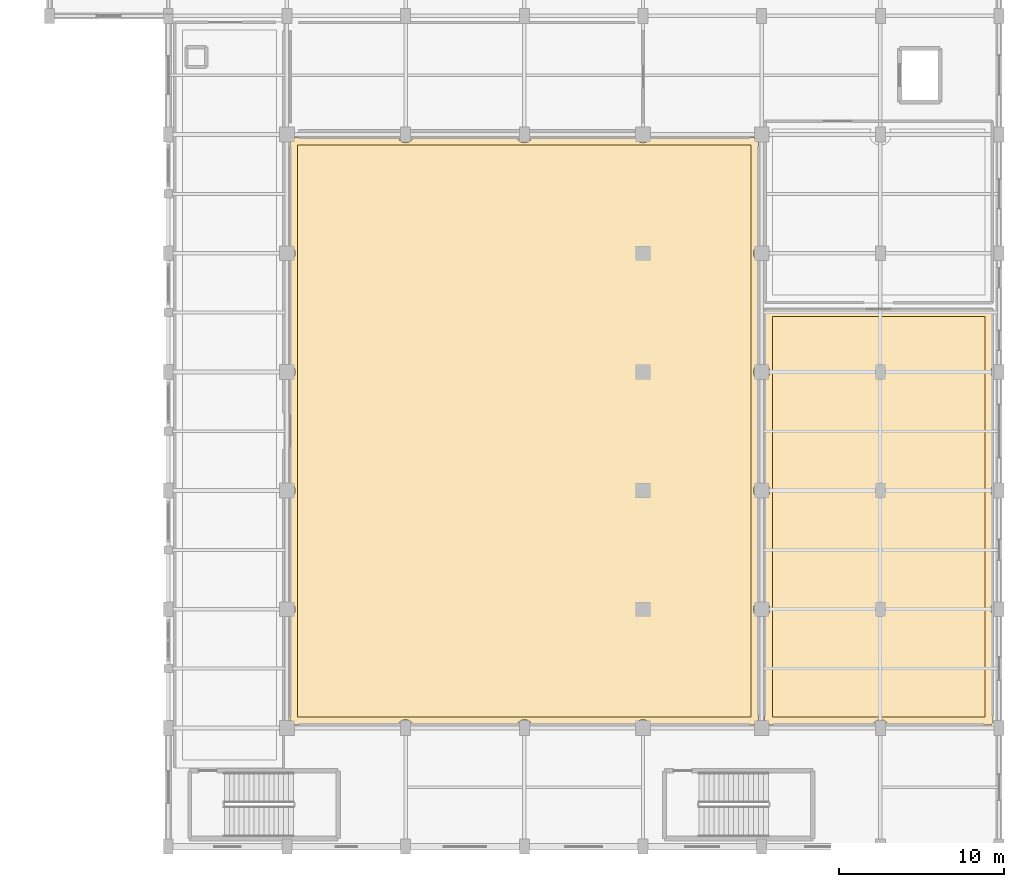
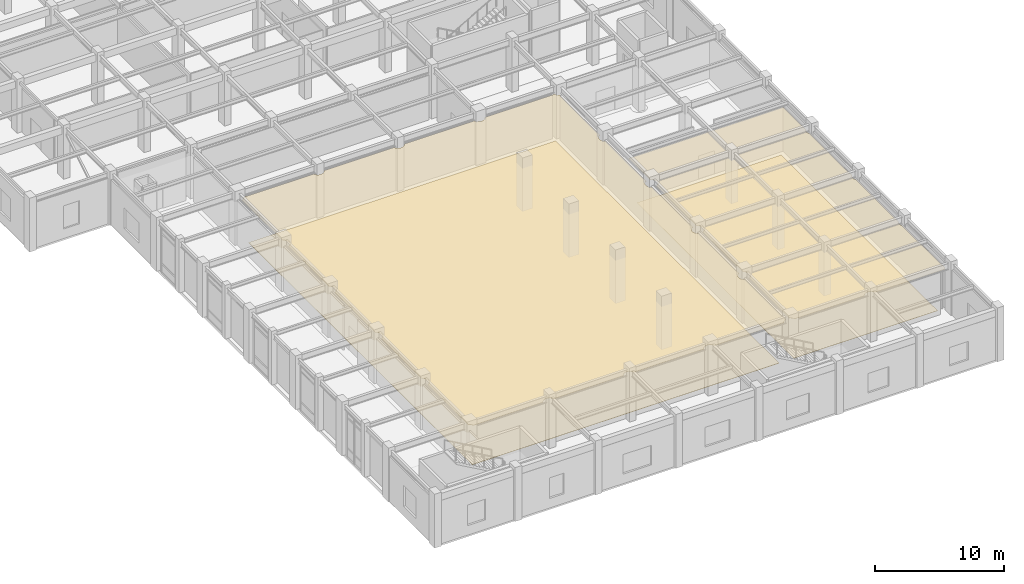
# One storey, part 115 of 117: 4 coverings.
"""IFC4 building model written with IfcOpenShell, lengths in metres."""

import ifcopenshell
import ifcopenshell.guid

model = None  # the IFC model being written
_history = None  # IfcOwnerHistory: only IFC2X3 demands one
_inside = {}  # id of a spatial element -> (the spatial element, [elements in it])
_under = {}  # id of a project, library or spatial element -> (it, [spatial elements below it])
_declared = {}  # id of a project -> (the project, [libraries it declares])
_typed = {}  # id of a type object -> (the type object, [elements of that type])
_made_of = {}  # id of a material, layer set ... -> (it, [elements and type objects made of it])


def new_model(schema):
    """Start an empty IFC model of exactly this schema.

    Asked for "IFC4X3", IfcOpenShell would pick the latest addendum, in which some entities
    have other attributes; the version numbers below select the first issue.
    IFC2X3 requires an IfcOwnerHistory on every rooted entity: one is made here for all.
    """
    global model, _history
    if schema == "IFC4X3":
        model = ifcopenshell.file(schema_version=(4, 3, 0, 0))
    else:
        model = ifcopenshell.file(schema=schema)
    _inside.clear()
    _under.clear()
    _declared.clear()
    _typed.clear()
    _made_of.clear()
    _history = None
    if model.schema == "IFC2X3":
        org = make("IfcOrganization", Name="unknown")
        user = make(
            "IfcPersonAndOrganization",
            ThePerson=make("IfcPerson", FamilyName="unknown"),
            TheOrganization=org,
        )
        app = make(
            "IfcApplication",
            ApplicationDeveloper=org,
            Version="unknown",
            ApplicationFullName="unknown",
            ApplicationIdentifier="unknown",
        )
        _history = make(
            "IfcOwnerHistory",
            OwningUser=user,
            OwningApplication=app,
            ChangeAction="ADDED",
            CreationDate=0,
        )
    return model


def make(cls, **values):
    """One entity of the class cls with the attributes given. An attribute that is None is left unset."""
    return model.create_entity(
        cls, **{name: value for name, value in values.items() if value is not None}
    )


def rooted(cls, **values):
    """An entity with a GlobalId (a new one), such as an element, a storey or a relation."""
    return make(cls, GlobalId=ifcopenshell.guid.new(), OwnerHistory=_history, **values)


def si_unit(unit_type, name, prefix=None):
    """IfcSIUnit, for example si_unit("LENGTHUNIT", "METRE", prefix="MILLI")."""
    return make("IfcSIUnit", UnitType=unit_type, Prefix=prefix, Name=name)


def assignment(units):
    """IfcUnitAssignment: the units of a project."""
    return None if units is None else make("IfcUnitAssignment", Units=units)


def point(xyz):
    """IfcCartesianPoint."""
    return None if xyz is None else make("IfcCartesianPoint", Coordinates=xyz)


def direction(xyz):
    """IfcDirection."""
    return None if xyz is None else make("IfcDirection", DirectionRatios=xyz)


def frame(location, z_axis=None, x_axis=None):
    """IfcAxis2Placement3D, a coordinate frame: its origin and axes. An axis left out is left unset."""
    return make(
        "IfcAxis2Placement3D",
        Location=point(location),
        Axis=direction(z_axis),
        RefDirection=direction(x_axis),
    )


def origin():
    """The frame at (0, 0, 0) with its axes left unset."""
    return frame((0.0, 0.0, 0.0))


def place(relative_to, where):
    """IfcLocalPlacement: puts the frame where relative to a parent placement (None: the world)."""
    return make(
        "IfcLocalPlacement", PlacementRelTo=relative_to, RelativePlacement=where
    )


def context(
    kind, dimensions, precision=None, world=None, true_north=None, identifier=None
):
    """IfcGeometricRepresentationContext, for example the 3D "Model" context."""
    return make(
        "IfcGeometricRepresentationContext",
        ContextIdentifier=identifier,
        ContextType=kind,
        CoordinateSpaceDimension=dimensions,
        Precision=precision,
        WorldCoordinateSystem=world,
        TrueNorth=true_north,
    )


def subcontext(parent, identifier, kind, view, scale=None):
    """IfcGeometricRepresentationSubContext, for example "Body" below "Model"."""
    return make(
        "IfcGeometricRepresentationSubContext",
        ContextIdentifier=identifier,
        ContextType=kind,
        ParentContext=parent,
        TargetScale=scale,
        TargetView=view,
    )


def project(units=None, contexts=None):
    """IfcProject with its units and contexts."""
    return rooted(
        "IfcProject",
        Name="project",
        RepresentationContexts=contexts,
        UnitsInContext=assignment(units),
    )


def spatial(cls, under=None, at=None, **own):
    """A site, building, storey or space (cls), placed at a placement, below another one or the project."""
    s = rooted(cls, ObjectPlacement=at, **own)
    if under is not None:
        _under.setdefault(under.id(), (under, []))[1].append(s)
    return s


def polyline(points):
    """IfcPolyline through the points."""
    return make("IfcPolyline", Points=[point(p) for p in points])


def outline(outer, holes=None, kind="AREA"):
    """IfcArbitraryClosedProfileDef: a profile drawn as a closed curve; with holes, ...WithVoids."""
    if holes is None:
        return make("IfcArbitraryClosedProfileDef", ProfileType=kind, OuterCurve=outer)
    return make(
        "IfcArbitraryProfileDefWithVoids",
        ProfileType=kind,
        OuterCurve=outer,
        InnerCurves=holes,
    )


def extrude(swept, where, along, depth):
    """IfcExtrudedAreaSolid: the profile swept, set in the frame where, extruded along a direction by depth."""
    return make(
        "IfcExtrudedAreaSolid",
        SweptArea=swept,
        Position=where,
        ExtrudedDirection=direction(along),
        Depth=depth,
    )


def shape(context_of_items, identifier, shape_type, items):
    """IfcShapeRepresentation: the items that make up one representation, for example the "Body"."""
    return make(
        "IfcShapeRepresentation",
        ContextOfItems=context_of_items,
        RepresentationIdentifier=identifier,
        RepresentationType=shape_type,
        Items=items,
    )


def material(Name=None, Category=None):
    """IfcMaterial."""
    return make("IfcMaterial", Name=Name, Category=Category)


def layer(
    of_material, thickness, ventilated=None, Name=None, Category=None, Priority=None
):
    """IfcMaterialLayer: one layer of a wall or slab, of a material (None: an air gap)."""
    return make(
        "IfcMaterialLayer",
        Material=of_material,
        LayerThickness=thickness,
        IsVentilated=ventilated,
        Name=Name,
        Category=Category,
        Priority=Priority,
    )


def layer_set(layers, Name=None):
    """IfcMaterialLayerSet."""
    return make("IfcMaterialLayerSet", MaterialLayers=layers, LayerSetName=Name)


def made_of(thing, what):
    """Note that an element or type object is made of a material, layer set ...; save() writes the relation."""
    if what is not None:
        _made_of.setdefault(what.id(), (what, []))[1].append(thing)
    return thing


def type_object(cls, material=None, **own):
    """A type object (cls), such as IfcWallType, which elements share."""
    return made_of(rooted(cls, **own), material)


def element(
    cls,
    number,
    at=None,
    inside=None,
    cuts=None,
    type_object=None,
    material=None,
    context=None,
    identifier="Body",
    shape_type=None,
    held_by="IfcProductDefinitionShape",
    body=None,
    shapes=None,
    **own,
):
    """One element of the class cls, such as IfcWall. Its Tag is "e" and its number.

    at: its placement. inside: the storey or other place that contains it. cuts: it is an
    opening in that element (IfcRelVoidsElement). A single representation is given by context,
    identifier, shape_type and body (its items); several are given by shapes. held_by: the class
    of the entity that holds the representations. save() writes the other relations.
    """
    e = rooted(cls, Tag="e%d" % number, ObjectPlacement=at, **own)
    if body is not None:
        shapes = [shape(context, identifier, shape_type, body)]
    if shapes is not None:
        e.Representation = make(held_by, Representations=shapes)
    if inside is not None:
        _inside.setdefault(inside.id(), (inside, []))[1].append(e)
    if cuts is not None:
        rooted(
            "IfcRelVoidsElement", RelatingBuildingElement=cuts, RelatedOpeningElement=e
        )
    if type_object is not None:
        _typed.setdefault(type_object.id(), (type_object, []))[1].append(e)
    return made_of(e, material)


def aggregate(whole, parts):
    """IfcRelAggregates: a whole, such as a stair, and the parts it consists of."""
    return rooted("IfcRelAggregates", RelatingObject=whole, RelatedObjects=parts)


def save(model, path):
    """Write the relations noted so far, then the file.

    IfcRelAggregates (storeys below a building ...), IfcRelContainedInSpatialStructure (elements
    in a storey), IfcRelDefinesByType, IfcRelAssociatesMaterial and IfcRelDeclares: one each for
    every whole, place, type object, material and project.
    """
    for whole, parts in _under.values():
        aggregate(whole, parts)
    for where, things in _inside.values():
        rooted(
            "IfcRelContainedInSpatialStructure",
            RelatedElements=things,
            RelatingStructure=where,
        )
    for kind, things in _typed.values():
        rooted("IfcRelDefinesByType", RelatedObjects=things, RelatingType=kind)
    for what, things in _made_of.values():
        rooted("IfcRelAssociatesMaterial", RelatedObjects=things, RelatingMaterial=what)
    for by, libraries in _declared.values():
        rooted("IfcRelDeclares", RelatingContext=by, RelatedDefinitions=libraries)
    model.write(path)


model = new_model("IFC4")

# Units and contexts
model_context = context("Model", 3, precision=1e-05, world=origin(), true_north=direction((0.0, 1.0)))
body_context = subcontext(model_context, "Body", "Model", "MODEL_VIEW")
ifc_project = project(units=[si_unit("LENGTHUNIT", "METRE"), si_unit("AREAUNIT", "SQUARE_METRE"), si_unit("VOLUMEUNIT", "CUBIC_METRE"), si_unit("PLANEANGLEUNIT", "RADIAN"), si_unit("MASSUNIT", "GRAM", prefix="KILO")], contexts=[model_context])

# Site, building, storey
site_placement = place(None, origin())
site = spatial("IfcSite", under=ifc_project, at=site_placement, CompositionType="ELEMENT")
building_placement = place(site_placement, origin())
building = spatial("IfcBuilding", under=site, at=building_placement, Name="Carrowvane Square Congress Hotel", CompositionType="ELEMENT")
storey_placement = place(building_placement, frame((0.0, 0.0, 5.39990234375)))
storey = spatial("IfcBuildingStorey", under=building, at=storey_placement, Name="L01", CompositionType="ELEMENT", Elevation=5.39990234375)

# Coverings
ifc_material_1 = material(Name="Acoustic gypsum board", Category="gypsum")
ifc_layer_1 = layer(ifc_material_1, 0.014892578125)
ifc_layer_set_1 = layer_set([ifc_layer_1], Name="Acoustic gypsum board")
covering_type_1 = type_object("IfcCoveringType", Name="COV-CLG-AC15", PredefinedType="CEILING", material=ifc_layer_set_1)
covering_1_placement = place(storey_placement, frame((0.0, 0.0, 4.087890625)))
element("IfcCovering", 1, at=covering_1_placement, inside=storey, type_object=covering_type_1, Name="L01 Banqueting Finishing Kitchen Pantry acoustic ceiling", PredefinedType="CEILING", context=body_context, shape_type="SweptSolid", body=[
    extrude(outline(polyline([(176.846435546875, 12.95361328125), (176.8134765625, 12.917236328125), (176.7841796875, 12.877685546875), (176.759033203125, 12.835693359375), (176.738037109375, 12.791259765625), (176.73388671875, 12.780029296875), (170.466064453125, 12.780029296875), (170.4619140625, 12.791259765625), (170.44091796875, 12.835693359375), (170.415771484375, 12.877685546875), (170.386474609375, 12.917236328125), (170.353515625, 12.95361328125), (170.317138671875, 12.986572265625), (170.27783203125, 13.015625), (170.235595703125, 13.041015625), (170.19140625, 13.06201171875), (170.179931640625, 13.06591796875), (170.179931640625, 19.333984375), (170.19140625, 19.338134765625), (170.235595703125, 19.35888671875), (170.27783203125, 19.38427734375), (170.317138671875, 19.41357421875), (170.353515625, 19.4462890625), (170.386474609375, 19.48291015625), (170.415771484375, 19.522216796875), (170.44091796875, 19.564208984375), (170.4619140625, 19.608642578125), (170.478515625, 19.65478515625), (170.490478515625, 19.702392578125), (170.49755859375, 19.7509765625), (170.5, 19.800048828125), (170.49755859375, 19.84912109375), (170.490478515625, 19.8974609375), (170.478515625, 19.945068359375), (170.4619140625, 19.9912109375), (170.44091796875, 20.03564453125), (170.415771484375, 20.077880859375), (170.386474609375, 20.1171875), (170.353515625, 20.153564453125), (170.317138671875, 20.1865234375), (170.27783203125, 20.2158203125), (170.235595703125, 20.240966796875), (170.19140625, 20.261962890625), (170.179931640625, 20.26611328125), (170.179931640625, 26.533935546875), (170.19140625, 26.5380859375), (170.235595703125, 26.55908203125), (170.27783203125, 26.584228515625), (170.317138671875, 26.613525390625), (170.353515625, 26.646484375), (170.386474609375, 26.682861328125), (170.415771484375, 26.72216796875), (170.44091796875, 26.764404296875), (170.4619140625, 26.80859375), (170.478515625, 26.85498046875), (170.490478515625, 26.902587890625), (170.49755859375, 26.950927734375), (170.5, 27.0), (170.49755859375, 27.049072265625), (170.490478515625, 27.097412109375), (170.478515625, 27.14501953125), (170.4619140625, 27.19140625), (170.44091796875, 27.235595703125), (170.415771484375, 27.27783203125), (170.386474609375, 27.317138671875), (170.353515625, 27.353515625), (170.317138671875, 27.386474609375), (170.27783203125, 27.415771484375), (170.235595703125, 27.44091796875), (170.19140625, 27.4619140625), (170.179931640625, 27.466064453125), (170.179931640625, 33.73388671875), (170.19140625, 33.738037109375), (170.235595703125, 33.759033203125), (170.27783203125, 33.7841796875), (170.317138671875, 33.8134765625), (170.353515625, 33.846435546875), (170.386474609375, 33.8828125), (170.415771484375, 33.922119140625), (170.44091796875, 33.96435546875), (170.4619140625, 34.0087890625), (170.478515625, 34.054931640625), (170.490478515625, 34.1025390625), (170.49755859375, 34.15087890625), (170.5, 34.199951171875), (170.49755859375, 34.2490234375), (170.490478515625, 34.297607421875), (170.478515625, 34.34521484375), (170.4619140625, 34.391357421875), (170.44091796875, 34.435791015625), (170.415771484375, 34.477783203125), (170.386474609375, 34.51708984375), (170.353515625, 34.5537109375), (170.317138671875, 34.58642578125), (170.27783203125, 34.61572265625), (170.235595703125, 34.64111328125), (170.19140625, 34.661865234375), (170.179931640625, 34.666015625), (170.179931640625, 38.0), (170.18017578125, 38.001953125), (170.180419921875, 38.00390625), (170.180908203125, 38.005859375), (170.181396484375, 38.0078125), (170.182373046875, 38.009521484375), (170.183349609375, 38.010986328125), (170.1845703125, 38.0126953125), (170.185791015625, 38.01416015625), (170.187255859375, 38.015380859375), (170.18896484375, 38.0166015625), (170.190673828125, 38.017578125), (170.1923828125, 38.0185546875), (170.194091796875, 38.01904296875), (170.196044921875, 38.01953125), (170.197998046875, 38.02001953125), (170.199951171875, 38.02001953125), (184.0, 38.02001953125), (184.001953125, 38.02001953125), (184.00390625, 38.01953125), (184.005859375, 38.01904296875), (184.0078125, 38.0185546875), (184.009521484375, 38.017578125), (184.010986328125, 38.0166015625), (184.0126953125, 38.015380859375), (184.01416015625, 38.01416015625), (184.015380859375, 38.0126953125), (184.0166015625, 38.010986328125), (184.017578125, 38.009521484375), (184.0185546875, 38.0078125), (184.01904296875, 38.005859375), (184.01953125, 38.00390625), (184.02001953125, 38.001953125), (184.02001953125, 38.0), (184.02001953125, 34.5244140625), (184.013427734375, 34.51708984375), (183.984375, 34.477783203125), (183.958984375, 34.435791015625), (183.93798828125, 34.391357421875), (183.92138671875, 34.34521484375), (183.90966796875, 34.297607421875), (183.90234375, 34.2490234375), (183.89990234375, 34.199951171875), (183.90234375, 34.15087890625), (183.90966796875, 34.1025390625), (183.92138671875, 34.054931640625), (183.93798828125, 34.0087890625), (183.958984375, 33.96435546875), (183.984375, 33.922119140625), (184.013427734375, 33.8828125), (184.02001953125, 33.87548828125), (184.02001953125, 27.324462890625), (184.013427734375, 27.317138671875), (183.984375, 27.27783203125), (183.958984375, 27.235595703125), (183.93798828125, 27.19140625), (183.92138671875, 27.14501953125), (183.90966796875, 27.097412109375), (183.90234375, 27.049072265625), (183.89990234375, 27.0), (183.90234375, 26.950927734375), (183.90966796875, 26.902587890625), (183.92138671875, 26.85498046875), (183.93798828125, 26.80859375), (183.958984375, 26.764404296875), (183.984375, 26.72216796875), (184.013427734375, 26.682861328125), (184.02001953125, 26.675537109375), (184.02001953125, 20.12451171875), (184.013427734375, 20.1171875), (183.984375, 20.077880859375), (183.958984375, 20.03564453125), (183.93798828125, 19.9912109375), (183.92138671875, 19.945068359375), (183.90966796875, 19.8974609375), (183.90234375, 19.84912109375), (183.89990234375, 19.800048828125), (183.90234375, 19.7509765625), (183.90966796875, 19.702392578125), (183.92138671875, 19.65478515625), (183.93798828125, 19.608642578125), (183.958984375, 19.564208984375), (183.984375, 19.522216796875), (184.013427734375, 19.48291015625), (184.02001953125, 19.4755859375), (184.02001953125, 12.92431640625), (184.013427734375, 12.917236328125), (183.984375, 12.877685546875), (183.958984375, 12.835693359375), (183.93798828125, 12.791259765625), (183.93408203125, 12.780029296875), (177.666015625, 12.780029296875), (177.661865234375, 12.791259765625), (177.64111328125, 12.835693359375), (177.61572265625, 12.877685546875), (177.58642578125, 12.917236328125), (177.5537109375, 12.95361328125), (177.51708984375, 12.986572265625), (177.477783203125, 13.015625), (177.435791015625, 13.041015625), (177.391357421875, 13.06201171875), (177.34521484375, 13.07861328125), (177.297607421875, 13.09033203125), (177.2490234375, 13.09765625), (177.199951171875, 13.10009765625), (177.15087890625, 13.09765625), (177.1025390625, 13.09033203125), (177.054931640625, 13.07861328125), (177.0087890625, 13.06201171875), (176.96435546875, 13.041015625), (176.922119140625, 13.015625), (176.8828125, 12.986572265625), (176.846435546875, 12.95361328125)])), origin(), (0.0, 0.0, 1.0), 0.014892578125),
])
ifc_material_2 = material(Name="European oak timber", Category="wood")
ifc_layer_2 = layer(ifc_material_2, 0.02490234375)
ifc_layer_set_2 = layer_set([ifc_layer_2], Name="European oak timber")
covering_type_2 = type_object("IfcCoveringType", Name="COV-CLG-WD25", PredefinedType="CEILING", material=ifc_layer_set_2)
covering_2_placement = place(storey_placement, frame((0.0, 0.0, 4.077880859375)))
element("IfcCovering", 2, at=covering_2_placement, inside=storey, type_object=covering_type_2, Name="L01 Carrowvane Grand Ballroom acoustic ceiling", PredefinedType="CEILING", context=body_context, shape_type="SweptSolid", body=[
    extrude(outline(polyline([(141.5537109375, 27.353515625), (141.51708984375, 27.386474609375), (141.477783203125, 27.415771484375), (141.435791015625, 27.44091796875), (141.391357421875, 27.4619140625), (141.3798828125, 27.466064453125), (141.3798828125, 33.73388671875), (141.391357421875, 33.738037109375), (141.435791015625, 33.759033203125), (141.477783203125, 33.7841796875), (141.51708984375, 33.8134765625), (141.5537109375, 33.846435546875), (141.58642578125, 33.8828125), (141.61572265625, 33.922119140625), (141.64111328125, 33.96435546875), (141.661865234375, 34.0087890625), (141.678466796875, 34.054931640625), (141.6904296875, 34.1025390625), (141.697509765625, 34.15087890625), (141.699951171875, 34.199951171875), (141.697509765625, 34.2490234375), (141.6904296875, 34.297607421875), (141.678466796875, 34.34521484375), (141.661865234375, 34.391357421875), (141.64111328125, 34.435791015625), (141.61572265625, 34.477783203125), (141.58642578125, 34.51708984375), (141.5537109375, 34.5537109375), (141.51708984375, 34.58642578125), (141.477783203125, 34.61572265625), (141.435791015625, 34.64111328125), (141.391357421875, 34.661865234375), (141.3798828125, 34.666015625), (141.3798828125, 40.93408203125), (141.391357421875, 40.93798828125), (141.435791015625, 40.958984375), (141.477783203125, 40.984375), (141.51708984375, 41.013427734375), (141.5537109375, 41.04638671875), (141.58642578125, 41.082763671875), (141.61572265625, 41.122314453125), (141.64111328125, 41.164306640625), (141.661865234375, 41.208740234375), (141.678466796875, 41.2548828125), (141.6904296875, 41.302490234375), (141.697509765625, 41.35107421875), (141.699951171875, 41.39990234375), (141.697509765625, 41.448974609375), (141.6904296875, 41.49755859375), (141.678466796875, 41.545166015625), (141.661865234375, 41.59130859375), (141.64111328125, 41.6357421875), (141.61572265625, 41.677734375), (141.58642578125, 41.71728515625), (141.5537109375, 41.753662109375), (141.51708984375, 41.78662109375), (141.477783203125, 41.815673828125), (141.435791015625, 41.841064453125), (141.391357421875, 41.86181640625), (141.3798828125, 41.865966796875), (141.3798828125, 48.134033203125), (141.391357421875, 48.13818359375), (141.435791015625, 48.158935546875), (141.477783203125, 48.184326171875), (141.51708984375, 48.21337890625), (141.5537109375, 48.246337890625), (141.58642578125, 48.28271484375), (141.61572265625, 48.322265625), (141.64111328125, 48.3642578125), (141.661865234375, 48.40869140625), (141.666015625, 48.419921875), (147.93408203125, 48.419921875), (147.93798828125, 48.40869140625), (147.958984375, 48.3642578125), (147.984375, 48.322265625), (148.013427734375, 48.28271484375), (148.04638671875, 48.246337890625), (148.082763671875, 48.21337890625), (148.122314453125, 48.184326171875), (148.164306640625, 48.158935546875), (148.208740234375, 48.13818359375), (148.2548828125, 48.12158203125), (148.302490234375, 48.109619140625), (148.35107421875, 48.102294921875), (148.39990234375, 48.10009765625), (148.448974609375, 48.102294921875), (148.49755859375, 48.109619140625), (148.545166015625, 48.12158203125), (148.59130859375, 48.13818359375), (148.6357421875, 48.158935546875), (148.677734375, 48.184326171875), (148.71728515625, 48.21337890625), (148.753662109375, 48.246337890625), (148.78662109375, 48.28271484375), (148.815673828125, 48.322265625), (148.841064453125, 48.3642578125), (148.86181640625, 48.40869140625), (148.865966796875, 48.419921875), (155.134033203125, 48.419921875), (155.13818359375, 48.40869140625), (155.158935546875, 48.3642578125), (155.184326171875, 48.322265625), (155.21337890625, 48.28271484375), (155.246337890625, 48.246337890625), (155.28271484375, 48.21337890625), (155.322265625, 48.184326171875), (155.3642578125, 48.158935546875), (155.40869140625, 48.13818359375), (155.454833984375, 48.12158203125), (155.50244140625, 48.109619140625), (155.551025390625, 48.102294921875), (155.60009765625, 48.10009765625), (155.64892578125, 48.102294921875), (155.697509765625, 48.109619140625), (155.7451171875, 48.12158203125), (155.791259765625, 48.13818359375), (155.835693359375, 48.158935546875), (155.877685546875, 48.184326171875), (155.917236328125, 48.21337890625), (155.95361328125, 48.246337890625), (155.986572265625, 48.28271484375), (156.015625, 48.322265625), (156.041015625, 48.3642578125), (156.06201171875, 48.40869140625), (156.06591796875, 48.419921875), (162.333984375, 48.419921875), (162.338134765625, 48.40869140625), (162.35888671875, 48.3642578125), (162.38427734375, 48.322265625), (162.41357421875, 48.28271484375), (162.4462890625, 48.246337890625), (162.48291015625, 48.21337890625), (162.522216796875, 48.184326171875), (162.564208984375, 48.158935546875), (162.608642578125, 48.13818359375), (162.65478515625, 48.12158203125), (162.702392578125, 48.109619140625), (162.7509765625, 48.102294921875), (162.800048828125, 48.10009765625), (162.84912109375, 48.102294921875), (162.8974609375, 48.109619140625), (162.945068359375, 48.12158203125), (162.9912109375, 48.13818359375), (163.03564453125, 48.158935546875), (163.077880859375, 48.184326171875), (163.1171875, 48.21337890625), (163.153564453125, 48.246337890625), (163.1865234375, 48.28271484375), (163.2158203125, 48.322265625), (163.240966796875, 48.3642578125), (163.261962890625, 48.40869140625), (163.26611328125, 48.419921875), (169.533935546875, 48.419921875), (169.5380859375, 48.40869140625), (169.55908203125, 48.3642578125), (169.584228515625, 48.322265625), (169.613525390625, 48.28271484375), (169.646484375, 48.246337890625), (169.682861328125, 48.21337890625), (169.72216796875, 48.184326171875), (169.764404296875, 48.158935546875), (169.80859375, 48.13818359375), (169.820068359375, 48.134033203125), (169.820068359375, 41.865966796875), (169.80859375, 41.86181640625), (169.764404296875, 41.841064453125), (169.72216796875, 41.815673828125), (169.682861328125, 41.78662109375), (169.646484375, 41.753662109375), (169.613525390625, 41.71728515625), (169.584228515625, 41.677734375), (169.55908203125, 41.6357421875), (169.5380859375, 41.59130859375), (169.521484375, 41.545166015625), (169.509521484375, 41.49755859375), (169.50244140625, 41.448974609375), (169.5, 41.39990234375), (169.50244140625, 41.35107421875), (169.509521484375, 41.302490234375), (169.521484375, 41.2548828125), (169.5380859375, 41.208740234375), (169.55908203125, 41.164306640625), (169.584228515625, 41.122314453125), (169.613525390625, 41.082763671875), (169.646484375, 41.04638671875), (169.682861328125, 41.013427734375), (169.72216796875, 40.984375), (169.764404296875, 40.958984375), (169.80859375, 40.93798828125), (169.820068359375, 40.93408203125), (169.820068359375, 34.666015625), (169.80859375, 34.661865234375), (169.764404296875, 34.64111328125), (169.72216796875, 34.61572265625), (169.682861328125, 34.58642578125), (169.646484375, 34.5537109375), (169.613525390625, 34.51708984375), (169.584228515625, 34.477783203125), (169.55908203125, 34.435791015625), (169.5380859375, 34.391357421875), (169.521484375, 34.34521484375), (169.509521484375, 34.297607421875), (169.50244140625, 34.2490234375), (169.5, 34.199951171875), (169.50244140625, 34.15087890625), (169.509521484375, 34.1025390625), (169.521484375, 34.054931640625), (169.5380859375, 34.0087890625), (169.55908203125, 33.96435546875), (169.584228515625, 33.922119140625), (169.613525390625, 33.8828125), (169.646484375, 33.846435546875), (169.682861328125, 33.8134765625), (169.72216796875, 33.7841796875), (169.764404296875, 33.759033203125), (169.80859375, 33.738037109375), (169.820068359375, 33.73388671875), (169.820068359375, 27.466064453125), (169.80859375, 27.4619140625), (169.764404296875, 27.44091796875), (169.72216796875, 27.415771484375), (169.682861328125, 27.386474609375), (169.646484375, 27.353515625), (169.613525390625, 27.317138671875), (169.584228515625, 27.27783203125), (169.55908203125, 27.235595703125), (169.5380859375, 27.19140625), (169.521484375, 27.14501953125), (169.509521484375, 27.097412109375), (169.50244140625, 27.049072265625), (169.5, 27.0), (169.50244140625, 26.950927734375), (169.509521484375, 26.902587890625), (169.521484375, 26.85498046875), (169.5380859375, 26.80859375), (169.55908203125, 26.764404296875), (169.584228515625, 26.72216796875), (169.613525390625, 26.682861328125), (169.646484375, 26.646484375), (169.682861328125, 26.613525390625), (169.72216796875, 26.584228515625), (169.764404296875, 26.55908203125), (169.80859375, 26.5380859375), (169.820068359375, 26.533935546875), (169.820068359375, 20.26611328125), (169.80859375, 20.261962890625), (169.764404296875, 20.240966796875), (169.72216796875, 20.2158203125), (169.682861328125, 20.1865234375), (169.646484375, 20.153564453125), (169.613525390625, 20.1171875), (169.584228515625, 20.077880859375), (169.55908203125, 20.03564453125), (169.5380859375, 19.9912109375), (169.521484375, 19.945068359375), (169.509521484375, 19.8974609375), (169.50244140625, 19.84912109375), (169.5, 19.800048828125), (169.50244140625, 19.7509765625), (169.509521484375, 19.702392578125), (169.521484375, 19.65478515625), (169.5380859375, 19.608642578125), (169.55908203125, 19.564208984375), (169.584228515625, 19.522216796875), (169.613525390625, 19.48291015625), (169.646484375, 19.4462890625), (169.682861328125, 19.41357421875), (169.72216796875, 19.38427734375), (169.764404296875, 19.35888671875), (169.80859375, 19.338134765625), (169.820068359375, 19.333984375), (169.820068359375, 13.06591796875), (169.80859375, 13.06201171875), (169.764404296875, 13.041015625), (169.72216796875, 13.015625), (169.682861328125, 12.986572265625), (169.646484375, 12.95361328125), (169.613525390625, 12.917236328125), (169.584228515625, 12.877685546875), (169.55908203125, 12.835693359375), (169.5380859375, 12.791259765625), (169.533935546875, 12.780029296875), (163.26611328125, 12.780029296875), (163.261962890625, 12.791259765625), (163.240966796875, 12.835693359375), (163.2158203125, 12.877685546875), (163.1865234375, 12.917236328125), (163.153564453125, 12.95361328125), (163.1171875, 12.986572265625), (163.077880859375, 13.015625), (163.03564453125, 13.041015625), (162.9912109375, 13.06201171875), (162.945068359375, 13.07861328125), (162.8974609375, 13.09033203125), (162.84912109375, 13.09765625), (162.800048828125, 13.10009765625), (162.7509765625, 13.09765625), (162.702392578125, 13.09033203125), (162.65478515625, 13.07861328125), (162.608642578125, 13.06201171875), (162.564208984375, 13.041015625), (162.522216796875, 13.015625), (162.48291015625, 12.986572265625), (162.4462890625, 12.95361328125), (162.41357421875, 12.917236328125), (162.38427734375, 12.877685546875), (162.35888671875, 12.835693359375), (162.338134765625, 12.791259765625), (162.333984375, 12.780029296875), (156.06591796875, 12.780029296875), (156.06201171875, 12.791259765625), (156.041015625, 12.835693359375), (156.015625, 12.877685546875), (155.986572265625, 12.917236328125), (155.95361328125, 12.95361328125), (155.917236328125, 12.986572265625), (155.877685546875, 13.015625), (155.835693359375, 13.041015625), (155.791259765625, 13.06201171875), (155.7451171875, 13.07861328125), (155.697509765625, 13.09033203125), (155.64892578125, 13.09765625), (155.60009765625, 13.10009765625), (155.551025390625, 13.09765625), (155.50244140625, 13.09033203125), (155.454833984375, 13.07861328125), (155.40869140625, 13.06201171875), (155.3642578125, 13.041015625), (155.322265625, 13.015625), (155.28271484375, 12.986572265625), (155.246337890625, 12.95361328125), (155.21337890625, 12.917236328125), (155.184326171875, 12.877685546875), (155.158935546875, 12.835693359375), (155.13818359375, 12.791259765625), (155.134033203125, 12.780029296875), (148.865966796875, 12.780029296875), (148.86181640625, 12.791259765625), (148.841064453125, 12.835693359375), (148.815673828125, 12.877685546875), (148.78662109375, 12.917236328125), (148.753662109375, 12.95361328125), (148.71728515625, 12.986572265625), (148.677734375, 13.015625), (148.6357421875, 13.041015625), (148.59130859375, 13.06201171875), (148.545166015625, 13.07861328125), (148.49755859375, 13.09033203125), (148.448974609375, 13.09765625), (148.39990234375, 13.10009765625), (148.35107421875, 13.09765625), (148.302490234375, 13.09033203125), (148.2548828125, 13.07861328125), (148.208740234375, 13.06201171875), (148.164306640625, 13.041015625), (148.122314453125, 13.015625), (148.082763671875, 12.986572265625), (148.04638671875, 12.95361328125), (148.013427734375, 12.917236328125), (147.984375, 12.877685546875), (147.958984375, 12.835693359375), (147.93798828125, 12.791259765625), (147.93408203125, 12.780029296875), (141.666015625, 12.780029296875), (141.661865234375, 12.791259765625), (141.64111328125, 12.835693359375), (141.61572265625, 12.877685546875), (141.58642578125, 12.917236328125), (141.5537109375, 12.95361328125), (141.51708984375, 12.986572265625), (141.477783203125, 13.015625), (141.435791015625, 13.041015625), (141.391357421875, 13.06201171875), (141.3798828125, 13.06591796875), (141.3798828125, 19.333984375), (141.391357421875, 19.338134765625), (141.435791015625, 19.35888671875), (141.477783203125, 19.38427734375), (141.51708984375, 19.41357421875), (141.5537109375, 19.4462890625), (141.58642578125, 19.48291015625), (141.61572265625, 19.522216796875), (141.64111328125, 19.564208984375), (141.661865234375, 19.608642578125), (141.678466796875, 19.65478515625), (141.6904296875, 19.702392578125), (141.697509765625, 19.7509765625), (141.699951171875, 19.800048828125), (141.697509765625, 19.84912109375), (141.6904296875, 19.8974609375), (141.678466796875, 19.945068359375), (141.661865234375, 19.9912109375), (141.64111328125, 20.03564453125), (141.61572265625, 20.077880859375), (141.58642578125, 20.1171875), (141.5537109375, 20.153564453125), (141.51708984375, 20.1865234375), (141.477783203125, 20.2158203125), (141.435791015625, 20.240966796875), (141.391357421875, 20.261962890625), (141.3798828125, 20.26611328125), (141.3798828125, 26.533935546875), (141.391357421875, 26.5380859375), (141.435791015625, 26.55908203125), (141.477783203125, 26.584228515625), (141.51708984375, 26.613525390625), (141.5537109375, 26.646484375), (141.58642578125, 26.682861328125), (141.61572265625, 26.72216796875), (141.64111328125, 26.764404296875), (141.661865234375, 26.80859375), (141.678466796875, 26.85498046875), (141.6904296875, 26.902587890625), (141.697509765625, 26.950927734375), (141.699951171875, 27.0), (141.697509765625, 27.049072265625), (141.6904296875, 27.097412109375), (141.678466796875, 27.14501953125), (141.661865234375, 27.19140625), (141.64111328125, 27.235595703125), (141.61572265625, 27.27783203125), (141.58642578125, 27.317138671875), (141.5537109375, 27.353515625)])), origin(), (0.0, 0.0, 1.0), 0.02490234375),
])
ifc_material_3 = material(Name="European oak timber", Category="wood")
ifc_layer_3 = layer(ifc_material_3, 0.01806640625)
ifc_layer_set_3 = layer_set([ifc_layer_3], Name="European oak timber")
covering_type_3 = type_object("IfcCoveringType", Name="COV-FLR-OAK18", PredefinedType="FLOORING", material=ifc_layer_set_3)
covering_3_placement = place(storey_placement, origin())
element("IfcCovering", 3, at=covering_3_placement, inside=storey, type_object=covering_type_3, Name="L01 Banqueting Finishing Kitchen Pantry floor finish", PredefinedType="FLOORING", context=body_context, shape_type="SweptSolid", body=[
    extrude(outline(polyline([(170.64990234375, 27.0), (170.64990234375, 27.0), (170.64990234375, 27.0), (170.64990234375, 34.199951171875), (170.64990234375, 34.199951171875), (170.64990234375, 34.199951171875), (170.64990234375, 37.550048828125), (183.550048828125, 37.550048828125), (183.550048828125, 13.25), (177.199951171875, 13.25), (170.64990234375, 13.25), (170.64990234375, 19.800048828125), (170.64990234375, 19.800048828125), (170.64990234375, 19.800048828125), (170.64990234375, 27.0)])), origin(), (0.0, 0.0, 1.0), 0.01806640625),
])
ifc_material_4 = material(Name="Portland limestone cladding", Category="masonry")
ifc_layer_4 = layer(ifc_material_4, 0.02587890625)
ifc_layer_set_4 = layer_set([ifc_layer_4], Name="Portland limestone cladding")
covering_type_4 = type_object("IfcCoveringType", Name="COV-FLR-STN26", PredefinedType="FLOORING", material=ifc_layer_set_4)
covering_4_placement = place(storey_placement, origin())
element("IfcCovering", 4, at=covering_4_placement, inside=storey, type_object=covering_type_4, Name="L01 Carrowvane Grand Ballroom floor finish", PredefinedType="FLOORING", context=body_context, shape_type="SweptSolid", body=[
    extrude(outline(polyline([(155.60009765625, 13.25), (148.39990234375, 13.25), (141.85009765625, 13.25), (141.85009765625, 19.800048828125), (141.85009765625, 27.0), (141.85009765625, 34.199951171875), (141.85009765625, 41.39990234375), (141.85009765625, 47.949951171875), (169.35009765625, 47.949951171875), (169.35009765625, 41.39990234375), (169.35009765625, 41.39990234375), (169.35009765625, 41.39990234375), (169.35009765625, 34.199951171875), (169.35009765625, 34.199951171875), (169.35009765625, 34.199951171875), (169.35009765625, 27.0), (169.35009765625, 27.0), (169.35009765625, 27.0), (169.35009765625, 19.800048828125), (169.35009765625, 19.800048828125), (169.35009765625, 19.800048828125), (169.35009765625, 13.25), (162.800048828125, 13.25), (155.60009765625, 13.25)])), origin(), (0.0, 0.0, 1.0), 0.026123046875),
])

save(model, "model.ifc")
